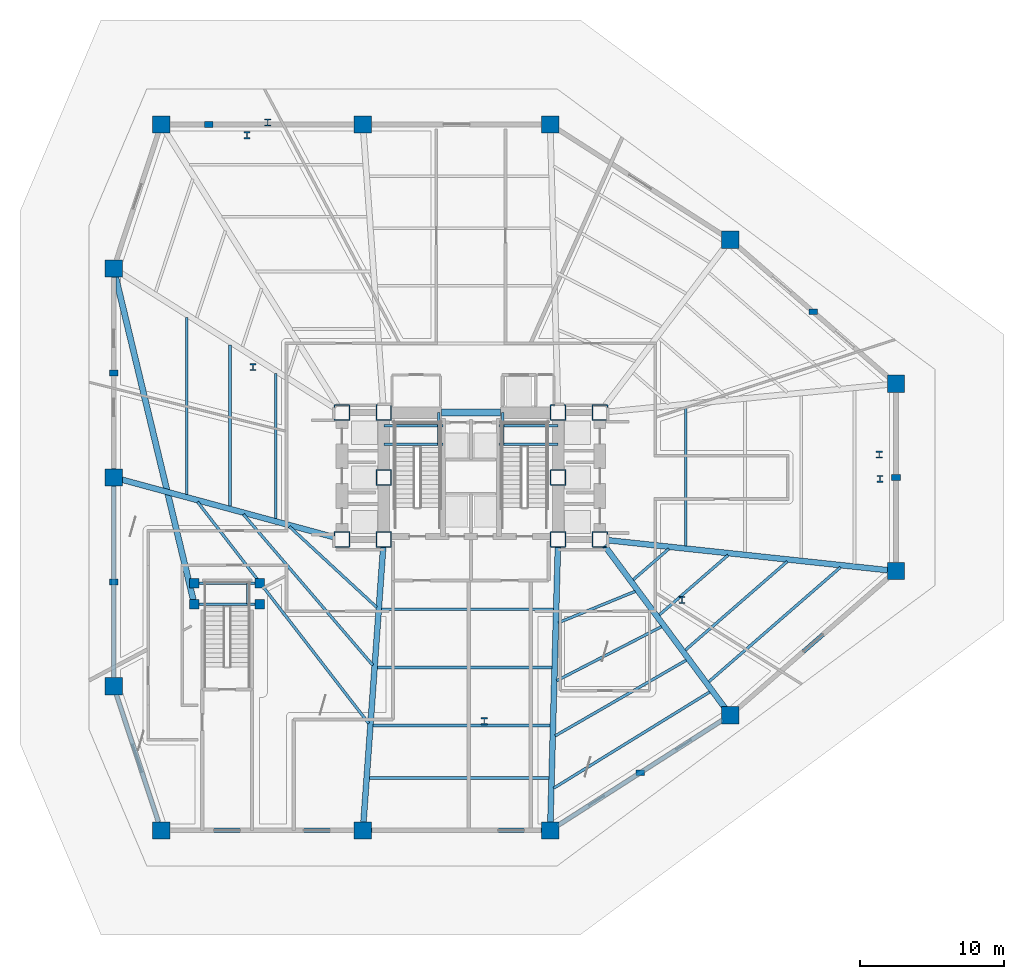
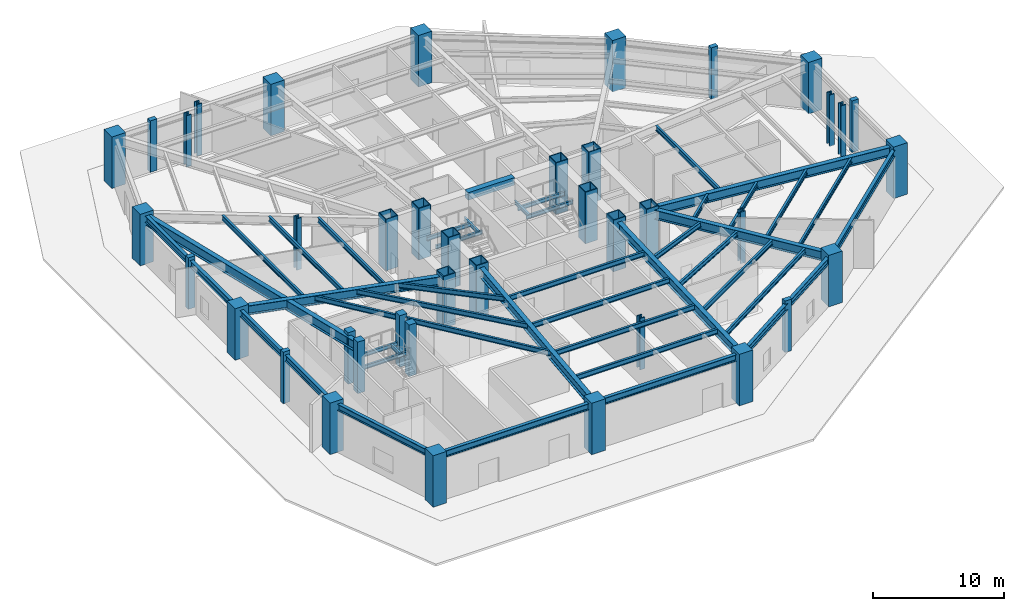
# One storey, part 1 of 10: 42 beams, 40 columns.
"""IFC4 building model written with IfcOpenShell, lengths in metres."""

from ifc_helpers import new_model, si_unit, direction, frame, origin, origin_2d, place, context, subcontext, project, spatial, rectangle, hollow_rectangle, i_section, extrude, material, material_profile, profile_set, type_object, element, save


model = new_model("IFC4")

# Units and contexts
model_context = context("Model", 3, precision=1e-05, world=origin(), true_north=direction((0.0, 1.0)))
body_context = subcontext(model_context, "Body", "Model", "MODEL_VIEW")
ifc_project = project(units=[si_unit("LENGTHUNIT", "METRE"), si_unit("AREAUNIT", "SQUARE_METRE"), si_unit("VOLUMEUNIT", "CUBIC_METRE"), si_unit("PLANEANGLEUNIT", "RADIAN"), si_unit("MASSUNIT", "GRAM", prefix="KILO")], contexts=[model_context])

# Site, building, storey
site_placement = place(None, origin())
site = spatial("IfcSite", under=ifc_project, at=site_placement, CompositionType="ELEMENT")
building_placement = place(site_placement, origin())
building = spatial("IfcBuilding", under=site, at=building_placement, Name="Rocaltana Carrier Exchange", CompositionType="ELEMENT")
storey_placement = place(building_placement, origin())
storey = spatial("IfcBuildingStorey", under=building, at=storey_placement, Name="L01", CompositionType="ELEMENT", Elevation=0.0)

# Columns
ifc_material_1 = material(Name="Concrete C60/75", Category="concrete")
ifc_material_profile_1 = material_profile(ifc_material_1, rectangle(XDim=0.60009765625, YDim=0.39990234375, at=origin_2d()), Name="RC-PIL-600X400")
ifc_profile_set_1 = profile_set([ifc_material_profile_1], Name="Concrete C60/75")
column_type_1 = type_object("IfcColumnType", Name="Concourse Boundary Pilaster 600x400", PredefinedType="PILASTER", material=ifc_profile_set_1)
for number, where, z_axis, x_axis, name in (
    (1, (11.75, -20.5, 0.0), (0.0, 0.0, 1.0), (1.0, 0.0, 0.0), "L01 Concourse Pilaster PL01"),
    (2, (29.5, 0.0, 0.0), (0.0, 0.0, 1.0), (1.0, 0.0, 0.0), "L01 Concourse Pilaster PL02"),
    (3, (-18.199951171875, 24.5, 0.0), (0.0, 0.0, 1.0), (1.0, 0.0, 0.0), "L01 Concourse Pilaster PL03"),
    (4, (23.75, 11.5, 0.0), (0.0, 0.0, 1.0), (1.0, 0.0, 0.0), "L01 Concourse Pilaster PL04"),
    (5, (-24.800048828125, 7.25, 0.0), (0.0, 0.0, 1.0), (1.0, 0.0, 0.0), "L01 Concourse Pilaster PL05"),
    (6, (-24.800048828125, -7.25, 0.0), (0.0, 0.0, 1.0), (1.0, 0.0, 0.0), "L01 Concourse Pilaster PL06"),
):
    element("IfcColumn", number, at=place(storey_placement, frame(where, z_axis=z_axis, x_axis=x_axis)), inside=storey, type_object=column_type_1, Name=name, PredefinedType="PILASTER", context=body_context, shape_type="SweptSolid", body=[
        extrude(rectangle(XDim=0.60009765625, YDim=0.39990234375, at=origin_2d()), origin(), (0.0, 0.0, 1.0), 4.800048828125),
    ])
ifc_material_2 = material(Name="Steel S460", Category="steel")
ifc_material_profile_2 = material_profile(ifc_material_2, hollow_rectangle(XDim=1.10009765625, YDim=1.10009765625, WallThickness=0.070068359375, InnerFilletRadius=0.02001953125, OuterFilletRadius=0.0400390625, at=origin_2d()), Name="BOX1100X1100X70")
ifc_profile_set_2 = profile_set([ifc_material_profile_2], Name="Steel S460")
column_type_2 = type_object("IfcColumnType", Name="Core Mega-Column BOX1100", PredefinedType="COLUMN", material=ifc_profile_set_2)
for number, where, z_axis, x_axis, name in (
    (7, (-6.050048828125, 4.5, 0.0), (0.0, 0.0, 1.0), (1.0, 0.0, 0.0), "L01 Core Mega-Column MC1"),
    (8, (6.050048828125, 4.5, 0.0), (0.0, 0.0, 1.0), (1.0, 0.0, 0.0), "L01 Core Mega-Column MC2"),
    (9, (-6.050048828125, 0.0, 0.0), (0.0, 0.0, 1.0), (1.0, 0.0, 0.0), "L01 Core Mega-Column MC3"),
    (10, (6.050048828125, 0.0, 0.0), (0.0, 0.0, 1.0), (1.0, 0.0, 0.0), "L01 Core Mega-Column MC4"),
    (11, (-6.050048828125, -4.300048828125, 0.0), (0.0, 0.0, 1.0), (1.0, 0.0, 0.0), "L01 Core Mega-Column MC5"),
    (12, (6.050048828125, -4.300048828125, 0.0), (0.0, 0.0, 1.0), (1.0, 0.0, 0.0), "L01 Core Mega-Column MC6"),
    (13, (-8.949951171875, 4.5, 0.0), (0.0, 0.0, 1.0), (1.0, 0.0, 0.0), "L01 West Core Column WC1"),
    (14, (-8.949951171875, -4.300048828125, 0.0), (0.0, 0.0, 1.0), (1.0, 0.0, 0.0), "L01 West Core Column WC2"),
    (15, (8.949951171875, 4.5, 0.0), (0.0, 0.0, 1.0), (1.0, 0.0, 0.0), "L01 East Core Column EC1"),
    (16, (8.949951171875, -4.300048828125, 0.0), (0.0, 0.0, 1.0), (1.0, 0.0, 0.0), "L01 East Core Column EC2"),
):
    element("IfcColumn", number, at=place(storey_placement, frame(where, z_axis=z_axis, x_axis=x_axis)), inside=storey, type_object=column_type_2, Name=name, PredefinedType="COLUMN", context=body_context, shape_type="SweptSolid", body=[
        extrude(hollow_rectangle(XDim=1.10009765625, YDim=1.10009765625, WallThickness=0.070068359375, InnerFilletRadius=0.02001953125, OuterFilletRadius=0.0400390625, at=origin_2d()), origin(), (0.0, 0.0, 1.0), 4.800048828125),
    ])
ifc_material_3 = material(Name="Steel S460", Category="steel")
ifc_material_profile_3 = material_profile(ifc_material_3, i_section(OverallWidth=0.431884765625, OverallDepth=0.498046875, WebThickness=0.0556640625, FlangeThickness=0.0888671875, FilletRadius=0.02490234375, at=origin_2d()), Name="W14X500")
ifc_profile_set_3 = profile_set([ifc_material_profile_3], Name="Steel S460")
column_type_3 = type_object("IfcColumnType", Name="Perimeter Column W14X500", PredefinedType="COLUMN", material=ifc_profile_set_3)
for number, where, z_axis, x_axis, name in (
    (17, (28.340576171875, 1.5849609375, 0.0), (0.0, 0.0, 1.0), (1.0, 0.0, 0.0), "L01 Podium Tower Mega-Column PT01"),
    (18, (-14.106201171875, 24.631591796875, 0.0), (0.0, 0.0, 1.0), (1.0, 0.0, 0.0), "L01 Podium Tower Mega-Column PT04"),
    (19, (-15.54296875, 23.751220703125, 0.0), (0.0, 0.0, 1.0), (1.0, 0.0, 0.0), "L01 Podium Tower Mega-Column PT05"),
    (20, (-15.121337890625, 7.65673828125, 0.0), (0.0, 0.0, 1.0), (1.0, 0.0, 0.0), "L01 Podium Tower Mega-Column PT06"),
    (21, (0.9296875, -16.923828125, 0.0), (0.0, 0.0, 1.0), (1.0, 0.0, 0.0), "L01 Podium Tower Mega-Column PT10"),
    (22, (14.6572265625, -8.51171875, 0.0), (0.0, 0.0, 1.0), (1.0, 0.0, 0.0), "L01 Podium Tower Mega-Column PT11"),
    (23, (28.384765625, -0.099609375, 0.0), (0.0, 0.0, 1.0), (1.0, 0.0, 0.0), "L01 Podium Tower Mega-Column PT12"),
):
    element("IfcColumn", number, at=place(storey_placement, frame(where, z_axis=z_axis, x_axis=x_axis)), inside=storey, type_object=column_type_3, Name=name, PredefinedType="COLUMN", context=body_context, shape_type="SweptSolid", body=[
        extrude(i_section(OverallWidth=0.431884765625, OverallDepth=0.498046875, WebThickness=0.0556640625, FlangeThickness=0.0888671875, FilletRadius=0.02490234375, at=origin_2d()), origin(), (0.0, 0.0, 1.0), 4.800048828125),
    ])
ifc_material_4 = material(Name="Concrete C60/75", Category="concrete")
ifc_material_profile_4 = material_profile(ifc_material_4, rectangle(XDim=1.199951171875, YDim=1.199951171875, at=origin_2d()), Name="RC-COL-1200X1200")
ifc_profile_set_4 = profile_set([ifc_material_profile_4], Name="Concrete C60/75")
column_type_4 = type_object("IfcColumnType", Name="Podium RC Column 1200", PredefinedType="COLUMN", material=ifc_profile_set_4)
for number, where, z_axis, x_axis, name in (
    (24, (-21.5, -24.5, 0.0), (0.0, 0.0, 1.0), (1.0, 0.0, 0.0), "L01 Podium Mega-Column PC01"),
    (25, (-7.5, -24.5, 0.0), (0.0, 0.0, 1.0), (1.0, 0.0, 0.0), "L01 Podium Mega-Column PC02"),
    (26, (5.5, -24.5, 0.0), (0.0, 0.0, 1.0), (1.0, 0.0, 0.0), "L01 Podium Mega-Column PC03"),
    (27, (18.0, -16.5, 0.0), (0.0, 0.0, 1.0), (1.0, 0.0, 0.0), "L01 Podium Mega-Column PC04"),
    (28, (29.5, -6.5, 0.0), (0.0, 0.0, 1.0), (1.0, 0.0, 0.0), "L01 Podium Mega-Column PC05"),
    (29, (29.5, 6.5, 0.0), (0.0, 0.0, 1.0), (1.0, 0.0, 0.0), "L01 Podium Mega-Column PC06"),
    (30, (18.0, 16.5, 0.0), (0.0, 0.0, 1.0), (1.0, 0.0, 0.0), "L01 Podium Mega-Column PC07"),
    (31, (5.5, 24.5, 0.0), (0.0, 0.0, 1.0), (1.0, 0.0, 0.0), "L01 Podium Mega-Column PC08"),
    (32, (-7.5, 24.5, 0.0), (0.0, 0.0, 1.0), (1.0, 0.0, 0.0), "L01 Podium Mega-Column PC09"),
    (33, (-21.5, 24.5, 0.0), (0.0, 0.0, 1.0), (1.0, 0.0, 0.0), "L01 Podium Mega-Column PC10"),
    (34, (-24.800048828125, 14.5, 0.0), (0.0, 0.0, 1.0), (1.0, 0.0, 0.0), "L01 Podium Mega-Column PC11"),
    (35, (-24.800048828125, 0.0, 0.0), (0.0, 0.0, 1.0), (1.0, 0.0, 0.0), "L01 Podium Mega-Column PC13"),
    (36, (-24.800048828125, -14.5, 0.0), (0.0, 0.0, 1.0), (1.0, 0.0, 0.0), "L01 Podium Mega-Column PC12"),
):
    element("IfcColumn", number, at=place(storey_placement, frame(where, z_axis=z_axis, x_axis=x_axis)), inside=storey, type_object=column_type_4, Name=name, PredefinedType="COLUMN", context=body_context, shape_type="SweptSolid", body=[
        extrude(rectangle(XDim=1.199951171875, YDim=1.199951171875, at=origin_2d()), origin(), (0.0, 0.0, 1.0), 4.800048828125),
    ])
ifc_material_5 = material(Name="Concrete C50/60", Category="concrete")
ifc_material_profile_5 = material_profile(ifc_material_5, rectangle(XDim=0.64990234375, YDim=0.64990234375, at=origin_2d()), Name="RC-COL-650X650")
ifc_profile_set_5 = profile_set([ifc_material_profile_5], Name="Concrete C50/60")
column_type_5 = type_object("IfcColumnType", Name="Stair Shaft RC Column 650", PredefinedType="COLUMN", material=ifc_profile_set_5)
for number, where, z_axis, x_axis, name in (
    (37, (-19.199951171875, -8.800048828125, 0.0), (0.0, 0.0, 1.0), (1.0, 0.0, 0.0), "L01 Stair Shaft Column SC3A"),
    (38, (-14.64990234375, -8.800048828125, 0.0), (0.0, 0.0, 1.0), (1.0, 0.0, 0.0), "L01 Stair Shaft Column SC3B"),
    (39, (-19.199951171875, -7.35009765625, 0.0), (0.0, 0.0, 1.0), (1.0, 0.0, 0.0), "L01 Stair Shaft Column SC3C"),
    (40, (-14.64990234375, -7.35009765625, 0.0), (0.0, 0.0, 1.0), (1.0, 0.0, 0.0), "L01 Stair Shaft Column SC3D"),
):
    element("IfcColumn", number, at=place(storey_placement, frame(where, z_axis=z_axis, x_axis=x_axis)), inside=storey, type_object=column_type_5, Name=name, PredefinedType="COLUMN", context=body_context, shape_type="SweptSolid", body=[
        extrude(rectangle(XDim=0.64990234375, YDim=0.64990234375, at=origin_2d()), origin(), (0.0, 0.0, 1.0), 4.800048828125),
    ])

# Beams
ifc_material_6 = material(Name="Concrete C60/75", Category="concrete")
ifc_material_profile_6 = material_profile(ifc_material_6, rectangle(XDim=0.5, YDim=0.699951171875, at=origin_2d()), Name="RC-BM-500X700")
ifc_profile_set_6 = profile_set([ifc_material_profile_6], Name="Concrete C60/75")
beam_type_1 = type_object("IfcBeamType", Name="Core Coupling Lintel 500x700", PredefinedType="LINTEL", material=ifc_profile_set_6)
beam_1_placement = place(storey_placement, frame((-2.050048828125, 4.5, 4.14794921875), z_axis=(1.0, 0.0, 0.0), x_axis=(0.0, 1.0, 0.0)))
element("IfcBeam", 41, at=beam_1_placement, inside=storey, type_object=beam_type_1, Name="L01 Core Coupling Lintel CL-N", PredefinedType="LINTEL", context=body_context, shape_type="SweptSolid", body=[
    extrude(rectangle(XDim=0.5, YDim=0.699951171875, at=origin_2d()), origin(), (0.0, 0.0, 1.0), 4.10009765625),
])
ifc_material_7 = material(Name="Steel S355", Category="steel")
ifc_material_profile_7 = material_profile(ifc_material_7, i_section(OverallWidth=0.172119140625, OverallDepth=0.35791015625, WebThickness=0.0078125, FlangeThickness=0.01318359375, FilletRadius=0.011962890625, at=origin_2d()), Name="W14X38")
ifc_profile_set_7 = profile_set([ifc_material_profile_7], Name="Steel S355")
beam_type_2 = type_object("IfcBeamType", Name="Floor Joist W14X38", PredefinedType="JOIST", material=ifc_profile_set_7)
for number, where, z_axis, x_axis, name in (
    (42, (-6.050048828125, 2.300048828125, 2.02099609375), (1.0, 0.0, 0.0), (0.0, 1.0, 0.0), "L01 ST-1 Landing Carrier 1"),
    (43, (1.93994140625, 2.300048828125, 2.02099609375), (1.0, 0.0, 0.0), (0.0, 1.0, 0.0), "L01 ST-2 Landing Carrier 1"),
    (44, (-6.050048828125, 3.60009765625, 2.02099609375), (1.0, 0.0, 0.0), (0.0, 1.0, 0.0), "L01 ST-1 Landing Carrier 2"),
    (45, (1.93994140625, 3.60009765625, 2.02099609375), (1.0, 0.0, 0.0), (0.0, 1.0, 0.0), "L01 ST-2 Landing Carrier 2"),
):
    element("IfcBeam", number, at=place(storey_placement, frame(where, z_axis=z_axis, x_axis=x_axis)), inside=storey, type_object=beam_type_2, Name=name, PredefinedType="JOIST", context=body_context, shape_type="SweptSolid", body=[
        extrude(i_section(OverallWidth=0.172119140625, OverallDepth=0.35791015625, WebThickness=0.0078125, FlangeThickness=0.01318359375, FilletRadius=0.011962890625, at=origin_2d()), origin(), (0.0, 0.0, 1.0), 4.110107421875),
    ])
for number, where, z_axis, x_axis, name in (
    (46, (-2.219970703125, 2.300048828125, 2.02099609375), (0.0, 1.0, 0.0), (-1.0, 0.0, 0.0), "L01 ST-1 Landing Cross Trimmer"),
    (47, (2.219970703125, 2.300048828125, 2.02099609375), (0.0, 1.0, 0.0), (-1.0, 0.0, 0.0), "L01 ST-2 Landing Cross Trimmer"),
):
    element("IfcBeam", number, at=place(storey_placement, frame(where, z_axis=z_axis, x_axis=x_axis)), inside=storey, type_object=beam_type_2, Name=name, PredefinedType="JOIST", context=body_context, shape_type="SweptSolid", body=[
        extrude(i_section(OverallWidth=0.172119140625, OverallDepth=0.35791015625, WebThickness=0.0078125, FlangeThickness=0.01318359375, FilletRadius=0.011962890625, at=origin_2d()), origin(), (0.0, 0.0, 1.0), 2.199951171875),
    ])
for number, where, z_axis, x_axis, name in (
    (48, (-19.199951171875, -8.800048828125, 2.02099609375), (1.0, 0.0, 0.0), (0.0, 1.0, 0.0), "L01 ST-3 South Landing Carrier"),
    (49, (-19.199951171875, -7.35009765625, 2.02099609375), (1.0, 0.0, 0.0), (0.0, 1.0, 0.0), "L01 ST-3 North Landing Carrier"),
):
    element("IfcBeam", number, at=place(storey_placement, frame(where, z_axis=z_axis, x_axis=x_axis)), inside=storey, type_object=beam_type_2, Name=name, PredefinedType="JOIST", context=body_context, shape_type="SweptSolid", body=[
        extrude(i_section(OverallWidth=0.172119140625, OverallDepth=0.35791015625, WebThickness=0.0078125, FlangeThickness=0.01318359375, FilletRadius=0.011962890625, at=origin_2d()), origin(), (0.0, 0.0, 1.0), 4.550048828125),
    ])
beam_2_placement = place(storey_placement, frame((-15.5, -8.800048828125, 2.02099609375), z_axis=(0.0, 1.0, 0.0), x_axis=(-1.0, 0.0, 0.0)))
element("IfcBeam", 50, at=beam_2_placement, inside=storey, type_object=beam_type_2, Name="L01 ST-3 Landing Cross Trimmer", PredefinedType="JOIST", context=body_context, shape_type="SweptSolid", body=[
    extrude(i_section(OverallWidth=0.172119140625, OverallDepth=0.35791015625, WebThickness=0.0078125, FlangeThickness=0.01318359375, FilletRadius=0.011962890625, at=origin_2d()), origin(), (0.0, 0.0, 1.0), 1.449951171875),
])
ifc_material_8 = material(Name="Steel S355", Category="steel")
ifc_material_profile_8 = material_profile(ifc_material_8, i_section(OverallWidth=0.193115234375, OverallDepth=0.466064453125, WebThickness=0.011474609375, FlangeThickness=0.01904296875, FilletRadius=0.013916015625, at=origin_2d()), Name="W18X65")
ifc_profile_set_8 = profile_set([ifc_material_profile_8], Name="Steel S355")
beam_type_3 = type_object("IfcBeamType", Name="Floor Joist W18X65", PredefinedType="JOIST", material=ifc_profile_set_8)
beam_3_placement = place(storey_placement, frame((-6.2041015625, -9.14794921875, 4.264892578125), z_axis=(1.0, 0.0, 0.0), x_axis=(0.0, 1.0, 0.0)))
element("IfcBeam", 51, at=beam_3_placement, inside=storey, type_object=beam_type_3, Name="FJ-POD-01-1-L01", PredefinedType="JOIST", context=body_context, shape_type="SweptSolid", body=[
    extrude(i_section(OverallWidth=0.193115234375, OverallDepth=0.466064453125, WebThickness=0.011474609375, FlangeThickness=0.01904296875, FilletRadius=0.013916015625, at=origin_2d()), origin(), (0.0, 0.0, 1.0), 11.92822265625),
])
beam_4_placement = place(storey_placement, frame((-6.493896484375, -13.18798828125, 4.264892578125), z_axis=(1.0, 0.0, 0.0), x_axis=(0.0, 1.0, 0.0)))
element("IfcBeam", 52, at=beam_4_placement, inside=storey, type_object=beam_type_3, Name="FJ-POD-01-2-L01", PredefinedType="JOIST", context=body_context, shape_type="SweptSolid", body=[
    extrude(i_section(OverallWidth=0.193115234375, OverallDepth=0.466064453125, WebThickness=0.011474609375, FlangeThickness=0.01904296875, FilletRadius=0.013916015625, at=origin_2d()), origin(), (0.0, 0.0, 1.0), 12.10791015625),
])
beam_5_placement = place(storey_placement, frame((-6.783935546875, -17.22802734375, 4.264892578125), z_axis=(1.0, 0.0, 0.0), x_axis=(0.0, 1.0, 0.0)))
element("IfcBeam", 53, at=beam_5_placement, inside=storey, type_object=beam_type_3, Name="FJ-POD-01-3-L01", PredefinedType="JOIST", context=body_context, shape_type="SweptSolid", body=[
    extrude(i_section(OverallWidth=0.193115234375, OverallDepth=0.466064453125, WebThickness=0.011474609375, FlangeThickness=0.01904296875, FilletRadius=0.013916015625, at=origin_2d()), origin(), (0.0, 0.0, 1.0), 12.287841796875),
])
beam_6_placement = place(storey_placement, frame((-7.044921875, -20.864013671875, 4.264892578125), z_axis=(1.0, 0.0, 0.0), x_axis=(0.0, 1.0, 0.0)))
element("IfcBeam", 54, at=beam_6_placement, inside=storey, type_object=beam_type_3, Name="FJ-POD-01-4-L01", PredefinedType="JOIST", context=body_context, shape_type="SweptSolid", body=[
    extrude(i_section(OverallWidth=0.193115234375, OverallDepth=0.466064453125, WebThickness=0.011474609375, FlangeThickness=0.01904296875, FilletRadius=0.013916015625, at=origin_2d()), origin(), (0.0, 0.0, 1.0), 12.449951171875),
])
beam_7_placement = place(storey_placement, frame((6.070068359375, -10.084716796875, 4.264892578125), z_axis=(0.925854311721, 0.377880660352, 0.0), x_axis=(-0.377880660352, 0.925854311721, 0.0)))
element("IfcBeam", 55, at=beam_7_placement, inside=storey, type_object=beam_type_3, Name="FJ-POD-02-1-L01", PredefinedType="JOIST", context=body_context, shape_type="SweptSolid", body=[
    extrude(i_section(OverallWidth=0.193115234375, OverallDepth=0.466064453125, WebThickness=0.011474609375, FlangeThickness=0.01904296875, FilletRadius=0.013916015625, at=origin_2d()), origin(), (0.0, 0.0, 1.0), 5.75146484375),
])
beam_8_placement = place(storey_placement, frame((5.952880859375, -14.109130859375, 4.264892578125), z_axis=(0.888846922283, 0.458204265311, 0.0), x_axis=(-0.458204265311, 0.888846922283, 0.0)))
element("IfcBeam", 56, at=beam_8_placement, inside=storey, type_object=beam_type_3, Name="FJ-POD-02-2-L01", PredefinedType="JOIST", context=body_context, shape_type="SweptSolid", body=[
    extrude(i_section(OverallWidth=0.193115234375, OverallDepth=0.466064453125, WebThickness=0.011474609375, FlangeThickness=0.01904296875, FilletRadius=0.013916015625, at=origin_2d()), origin(), (0.0, 0.0, 1.0), 8.1669921875),
])
beam_9_placement = place(storey_placement, frame((5.843994140625, -17.93896484375, 4.264892578125), z_axis=(0.866167386588, 0.499753997895, 0.0), x_axis=(-0.499753997895, 0.866167386588, 0.0)))
element("IfcBeam", 57, at=beam_9_placement, inside=storey, type_object=beam_type_3, Name="FJ-POD-02-3-L01", PredefinedType="JOIST", context=body_context, shape_type="SweptSolid", body=[
    extrude(i_section(OverallWidth=0.193115234375, OverallDepth=0.466064453125, WebThickness=0.011474609375, FlangeThickness=0.01904296875, FilletRadius=0.013916015625, at=origin_2d()), origin(), (0.0, 0.0, 1.0), 10.496826171875),
])
beam_10_placement = place(storey_placement, frame((5.7421875, -21.5703125, 4.264892578125), z_axis=(0.851147142545, 0.524927177556, 0.0), x_axis=(-0.524927177556, 0.851147142545, 0.0)))
element("IfcBeam", 58, at=beam_10_placement, inside=storey, type_object=beam_type_3, Name="FJ-POD-02-4-L01", PredefinedType="JOIST", context=body_context, shape_type="SweptSolid", body=[
    extrude(i_section(OverallWidth=0.193115234375, OverallDepth=0.466064453125, WebThickness=0.011474609375, FlangeThickness=0.01904296875, FilletRadius=0.013916015625, at=origin_2d()), origin(), (0.0, 0.0, 1.0), 12.718994140625),
])
beam_11_placement = place(storey_placement, frame((11.268310546875, -7.1005859375, 4.264892578125), z_axis=(0.754636065362, 0.656143588595, 0.0), x_axis=(-0.656143588595, 0.754636065362, 0.0)))
element("IfcBeam", 59, at=beam_11_placement, inside=storey, type_object=beam_type_3, Name="FJ-POD-03-1-L01", PredefinedType="JOIST", context=body_context, shape_type="SweptSolid", body=[
    extrude(i_section(OverallWidth=0.193115234375, OverallDepth=0.466064453125, WebThickness=0.011474609375, FlangeThickness=0.01904296875, FilletRadius=0.013916015625, at=origin_2d()), origin(), (0.0, 0.0, 1.0), 3.26953125),
])
beam_12_placement = place(storey_placement, frame((13.078369140625, -9.540771484375, 4.264892578125), z_axis=(0.754605522164, 0.656178714925, 0.0), x_axis=(-0.656178714925, 0.754605522164, 0.0)))
element("IfcBeam", 60, at=beam_12_placement, inside=storey, type_object=beam_type_3, Name="FJ-POD-03-2-L01", PredefinedType="JOIST", context=body_context, shape_type="SweptSolid", body=[
    extrude(i_section(OverallWidth=0.193115234375, OverallDepth=0.466064453125, WebThickness=0.011474609375, FlangeThickness=0.01904296875, FilletRadius=0.013916015625, at=origin_2d()), origin(), (0.0, 0.0, 1.0), 6.317626953125),
])
beam_13_placement = place(storey_placement, frame((14.888427734375, -11.980712890625, 4.264892578125), z_axis=(0.75459654273, 0.65618904113, 0.0), x_axis=(-0.65618904113, 0.75459654273, 0.0)))
element("IfcBeam", 61, at=beam_13_placement, inside=storey, type_object=beam_type_3, Name="FJ-POD-03-3-L01", PredefinedType="JOIST", context=body_context, shape_type="SweptSolid", body=[
    extrude(i_section(OverallWidth=0.193115234375, OverallDepth=0.466064453125, WebThickness=0.011474609375, FlangeThickness=0.01904296875, FilletRadius=0.013916015625, at=origin_2d()), origin(), (0.0, 0.0, 1.0), 9.365478515625),
])
beam_14_placement = place(storey_placement, frame((16.517333984375, -14.1767578125, 4.264892578125), z_axis=(0.754599011116, 0.656186202554, 0.0), x_axis=(-0.656186202554, 0.754599011116, 0.0)))
element("IfcBeam", 62, at=beam_14_placement, inside=storey, type_object=beam_type_3, Name="FJ-POD-03-4-L01", PredefinedType="JOIST", context=body_context, shape_type="SweptSolid", body=[
    extrude(i_section(OverallWidth=0.193115234375, OverallDepth=0.466064453125, WebThickness=0.011474609375, FlangeThickness=0.01904296875, FilletRadius=0.013916015625, at=origin_2d()), origin(), (0.0, 0.0, 1.0), 12.108642578125),
])
beam_15_placement = place(storey_placement, frame((14.909423828125, -4.743896484375, 4.264892578125), z_axis=(0.0, 1.0, 0.0), x_axis=(-1.0, 0.0, 0.0)))
element("IfcBeam", 63, at=beam_15_placement, inside=storey, type_object=beam_type_3, Name="FJ-POD-04-1-L01", PredefinedType="JOIST", context=body_context, shape_type="SweptSolid", body=[
    extrude(i_section(OverallWidth=0.193115234375, OverallDepth=0.466064453125, WebThickness=0.011474609375, FlangeThickness=0.01904296875, FilletRadius=0.013916015625, at=origin_2d()), origin(), (0.0, 0.0, 1.0), 9.6298828125),
])
beam_16_placement = place(storey_placement, frame((-13.54638671875, 7.2060546875, 4.264892578125), z_axis=(0.0, -1.0, 0.0), x_axis=(1.0, 0.0, 0.0)))
element("IfcBeam", 64, at=beam_16_placement, inside=storey, type_object=beam_type_3, Name="FJ-POD-10-1-L01", PredefinedType="JOIST", context=body_context, shape_type="SweptSolid", body=[
    extrude(i_section(OverallWidth=0.193115234375, OverallDepth=0.466064453125, WebThickness=0.011474609375, FlangeThickness=0.01904296875, FilletRadius=0.013916015625, at=origin_2d()), origin(), (0.0, 0.0, 1.0), 10.06494140625),
])
beam_17_placement = place(storey_placement, frame((-16.716552734375, 9.2060546875, 4.264892578125), z_axis=(0.0, -1.0, 0.0), x_axis=(1.0, 0.0, 0.0)))
element("IfcBeam", 65, at=beam_17_placement, inside=storey, type_object=beam_type_3, Name="FJ-POD-10-2-L01", PredefinedType="JOIST", context=body_context, shape_type="SweptSolid", body=[
    extrude(i_section(OverallWidth=0.193115234375, OverallDepth=0.466064453125, WebThickness=0.011474609375, FlangeThickness=0.01904296875, FilletRadius=0.013916015625, at=origin_2d()), origin(), (0.0, 0.0, 1.0), 11.205078125),
])
beam_18_placement = place(storey_placement, frame((-19.72802734375, 11.10595703125, 4.264892578125), z_axis=(0.0, -1.0, 0.0), x_axis=(1.0, 0.0, 0.0)))
element("IfcBeam", 66, at=beam_18_placement, inside=storey, type_object=beam_type_3, Name="FJ-POD-10-3-L01", PredefinedType="JOIST", context=body_context, shape_type="SweptSolid", body=[
    extrude(i_section(OverallWidth=0.193115234375, OverallDepth=0.466064453125, WebThickness=0.011474609375, FlangeThickness=0.01904296875, FilletRadius=0.013916015625, at=origin_2d()), origin(), (0.0, 0.0, 1.0), 12.287841796875),
])
beam_19_placement = place(storey_placement, frame((-12.611572265625, -3.399658203125, 4.264892578125), z_axis=(0.73405382371, -0.679091292756, 0.0), x_axis=(0.679091292756, 0.73405382371, 0.0)))
element("IfcBeam", 67, at=beam_19_placement, inside=storey, type_object=beam_type_3, Name="FJ-POD-11-1-L01", PredefinedType="JOIST", context=body_context, shape_type="SweptSolid", body=[
    extrude(i_section(OverallWidth=0.193115234375, OverallDepth=0.466064453125, WebThickness=0.011474609375, FlangeThickness=0.01904296875, FilletRadius=0.013916015625, at=origin_2d()), origin(), (0.0, 0.0, 1.0), 8.27099609375),
])
beam_20_placement = place(storey_placement, frame((-15.7978515625, -2.555419921875, 4.264892578125), z_axis=(0.65063264019, -0.759392630673, 0.0), x_axis=(0.759392630673, 0.65063264019, 0.0)))
element("IfcBeam", 68, at=beam_20_placement, inside=storey, type_object=beam_type_3, Name="FJ-POD-11-2-L01", PredefinedType="JOIST", context=body_context, shape_type="SweptSolid", body=[
    extrude(i_section(OverallWidth=0.193115234375, OverallDepth=0.466064453125, WebThickness=0.011474609375, FlangeThickness=0.01904296875, FilletRadius=0.013916015625, at=origin_2d()), origin(), (0.0, 0.0, 1.0), 13.8076171875),
])
beam_21_placement = place(storey_placement, frame((-18.975341796875, -1.701416015625, 4.264892578125), z_axis=(0.611431048855, -0.791297714198, 0.0), x_axis=(0.791297714198, 0.611431048855, 0.0)))
element("IfcBeam", 69, at=beam_21_placement, inside=storey, type_object=beam_type_3, Name="FJ-POD-11-3-L01", PredefinedType="JOIST", context=body_context, shape_type="SweptSolid", body=[
    extrude(i_section(OverallWidth=0.193115234375, OverallDepth=0.466064453125, WebThickness=0.011474609375, FlangeThickness=0.01904296875, FilletRadius=0.013916015625, at=origin_2d()), origin(), (0.0, 0.0, 1.0), 19.427734375),
])
ifc_material_9 = material(Name="Steel S355", Category="steel")
ifc_material_profile_9 = material_profile(ifc_material_9, i_section(OverallWidth=0.41796875, OverallDepth=0.927001953125, WebThickness=0.019287109375, FlangeThickness=0.031982421875, FilletRadius=0.02197265625, at=origin_2d()), Name="W36X231")
ifc_profile_set_9 = profile_set([ifc_material_profile_9], Name="Steel S355")
beam_type_4 = type_object("IfcBeamType", Name="Heavy Floor Girder W36X231", PredefinedType="BEAM", material=ifc_profile_set_9)
beam_22_placement = place(storey_placement, frame((-24.800048828125, 14.5, 4.034423828125), z_axis=(0.233691988748, -0.972310677919, 0.0), x_axis=(0.972310677919, 0.233691988748, 0.0)))
element("IfcBeam", 70, at=beam_22_placement, inside=storey, type_object=beam_type_4, Name="BM-PODG-ST3TRIM-L01", PredefinedType="BEAM", context=body_context, shape_type="SweptSolid", body=[
    extrude(i_section(OverallWidth=0.41796875, OverallDepth=0.927001953125, WebThickness=0.019287109375, FlangeThickness=0.031982421875, FilletRadius=0.02197265625, at=origin_2d()), origin(), (0.0, 0.0, 1.0), 23.963623046875),
])
ifc_material_10 = material(Name="Steel S355", Category="steel")
ifc_material_profile_10 = material_profile(ifc_material_10, i_section(OverallWidth=0.39990234375, OverallDepth=0.85498046875, WebThickness=0.018310546875, FlangeThickness=0.029296875, FilletRadius=0.02001953125, at=origin_2d()), Name="W33X201")
ifc_profile_set_10 = profile_set([ifc_material_profile_10], Name="Steel S355")
beam_type_5 = type_object("IfcBeamType", Name="Podium Girder W33X201", PredefinedType="BEAM", material=ifc_profile_set_10)
beam_23_placement = place(storey_placement, frame((-6.0888671875, -4.840576171875, 4.070556640625), z_axis=(-0.071590092628, -0.997434137494, 0.0), x_axis=(0.997434137494, -0.071590092628, 0.0)))
element("IfcBeam", 71, at=beam_23_placement, inside=storey, type_object=beam_type_5, Name="BM-PODG-02-L01", PredefinedType="BEAM", context=body_context, shape_type="SweptSolid", body=[
    extrude(i_section(OverallWidth=0.39990234375, OverallDepth=0.85498046875, WebThickness=0.018310546875, FlangeThickness=0.029296875, FilletRadius=0.02001953125, at=origin_2d()), origin(), (0.0, 0.0, 1.0), 19.117919921875),
])
beam_24_placement = place(storey_placement, frame((6.03515625, -4.841796875, 4.070556640625), z_axis=(-0.027212823481, -0.999629662544, 0.0), x_axis=(0.999629662544, -0.027212823481, 0.0)))
element("IfcBeam", 72, at=beam_24_placement, inside=storey, type_object=beam_type_5, Name="BM-PODG-03-L01", PredefinedType="BEAM", context=body_context, shape_type="SweptSolid", body=[
    extrude(i_section(OverallWidth=0.39990234375, OverallDepth=0.85498046875, WebThickness=0.018310546875, FlangeThickness=0.029296875, FilletRadius=0.02001953125, at=origin_2d()), origin(), (0.0, 0.0, 1.0), 19.073486328125),
])
beam_25_placement = place(storey_placement, frame((9.27294921875, -4.7353515625, 4.070556640625), z_axis=(0.595778622858, -0.8031486989, 0.0), x_axis=(0.8031486989, 0.595778622858, 0.0)))
element("IfcBeam", 73, at=beam_25_placement, inside=storey, type_object=beam_type_5, Name="BM-PODG-04-L01", PredefinedType="BEAM", context=body_context, shape_type="SweptSolid", body=[
    extrude(i_section(OverallWidth=0.39990234375, OverallDepth=0.85498046875, WebThickness=0.018310546875, FlangeThickness=0.029296875, FilletRadius=0.02001953125, at=origin_2d()), origin(), (0.0, 0.0, 1.0), 14.055908203125),
])
beam_26_placement = place(storey_placement, frame((9.489013671875, -4.357666015625, 4.070556640625), z_axis=(0.994317945297, -0.106451038792, 0.0), x_axis=(0.106451038792, 0.994317945297, 0.0)))
element("IfcBeam", 74, at=beam_26_placement, inside=storey, type_object=beam_type_5, Name="BM-PODG-05-L01", PredefinedType="BEAM", context=body_context, shape_type="SweptSolid", body=[
    extrude(i_section(OverallWidth=0.39990234375, OverallDepth=0.85498046875, WebThickness=0.018310546875, FlangeThickness=0.029296875, FilletRadius=0.02001953125, at=origin_2d()), origin(), (0.0, 0.0, 1.0), 19.533447265625),
])
beam_27_placement = place(storey_placement, frame((-9.47314453125, -4.158203125, 4.070556640625), z_axis=(-0.965113043387, 0.261833560655, 0.0), x_axis=(-0.261833560655, -0.965113043387, 0.0)))
element("IfcBeam", 75, at=beam_27_placement, inside=storey, type_object=beam_type_5, Name="BM-PODG-12-L01", PredefinedType="BEAM", context=body_context, shape_type="SweptSolid", body=[
    extrude(i_section(OverallWidth=0.39990234375, OverallDepth=0.85498046875, WebThickness=0.018310546875, FlangeThickness=0.029296875, FilletRadius=0.02001953125, at=origin_2d()), origin(), (0.0, 0.0, 1.0), 15.2890625),
])
ifc_material_11 = material(Name="Steel S355", Category="steel")
ifc_material_profile_11 = material_profile(ifc_material_11, i_section(OverallWidth=0.300048828125, OverallDepth=0.60009765625, WebThickness=0.015380859375, FlangeThickness=0.030029296875, FilletRadius=0.027099609375, at=origin_2d()), Name="HEB600")
ifc_profile_set_11 = profile_set([ifc_material_profile_11], Name="Steel S355")
beam_type_6 = type_object("IfcBeamType", Name="Spandrel Edge Beam HEB600", PredefinedType="SPANDREL", material=ifc_profile_set_11)
beam_28_placement = place(storey_placement, frame((-20.907958984375, -24.5, 4.197998046875), z_axis=(1.0, 0.0, 0.0), x_axis=(0.0, 1.0, 0.0)))
element("IfcBeam", 76, at=beam_28_placement, inside=storey, type_object=beam_type_6, Name="BM-PODR-01-L01", PredefinedType="SPANDREL", context=body_context, shape_type="SweptSolid", body=[
    extrude(i_section(OverallWidth=0.300048828125, OverallDepth=0.60009765625, WebThickness=0.015380859375, FlangeThickness=0.030029296875, FilletRadius=0.027099609375, at=origin_2d()), origin(), (0.0, 0.0, 1.0), 12.81591796875),
])
beam_29_placement = place(storey_placement, frame((-6.907958984375, -24.5, 4.197998046875), z_axis=(1.0, 0.0, 0.0), x_axis=(0.0, 1.0, 0.0)))
element("IfcBeam", 77, at=beam_29_placement, inside=storey, type_object=beam_type_6, Name="BM-PODR-02-L01", PredefinedType="SPANDREL", context=body_context, shape_type="SweptSolid", body=[
    extrude(i_section(OverallWidth=0.300048828125, OverallDepth=0.60009765625, WebThickness=0.015380859375, FlangeThickness=0.030029296875, FilletRadius=0.027099609375, at=origin_2d()), origin(), (0.0, 0.0, 1.0), 11.81591796875),
])
beam_30_placement = place(storey_placement, frame((5.99853515625, -24.180908203125, 4.197998046875), z_axis=(0.842273348616, 0.539050652733, 0.0), x_axis=(-0.539050652733, 0.842273348616, 0.0)))
element("IfcBeam", 78, at=beam_30_placement, inside=storey, type_object=beam_type_6, Name="BM-PODR-03-L01", PredefinedType="SPANDREL", context=body_context, shape_type="SweptSolid", body=[
    extrude(i_section(OverallWidth=0.300048828125, OverallDepth=0.60009765625, WebThickness=0.015380859375, FlangeThickness=0.030029296875, FilletRadius=0.027099609375, at=origin_2d()), origin(), (0.0, 0.0, 1.0), 13.656982421875),
])
beam_31_placement = place(storey_placement, frame((18.44677734375, -16.111572265625, 4.197998046875), z_axis=(0.754600286985, 0.656184735331, 0.0), x_axis=(-0.656184735331, 0.754600286985, 0.0)))
element("IfcBeam", 79, at=beam_31_placement, inside=storey, type_object=beam_type_6, Name="BM-PODR-04-L01", PredefinedType="SPANDREL", context=body_context, shape_type="SweptSolid", body=[
    extrude(i_section(OverallWidth=0.300048828125, OverallDepth=0.60009765625, WebThickness=0.015380859375, FlangeThickness=0.030029296875, FilletRadius=0.027099609375, at=origin_2d()), origin(), (0.0, 0.0, 1.0), 14.0556640625),
])
for number, where, z_axis, x_axis, name in (
    (80, (-24.800048828125, 13.907958984375, 4.197998046875), (0.0, -1.0, 0.0), (1.0, 0.0, 0.0), "BM-PODR-11-L01"),
    (81, (-24.800048828125, -0.592041015625, 4.197998046875), (0.0, -1.0, 0.0), (1.0, 0.0, 0.0), "BM-PODR-12-L01"),
):
    element("IfcBeam", number, at=place(storey_placement, frame(where, z_axis=z_axis, x_axis=x_axis)), inside=storey, type_object=beam_type_6, Name=name, PredefinedType="SPANDREL", context=body_context, shape_type="SweptSolid", body=[
        extrude(i_section(OverallWidth=0.300048828125, OverallDepth=0.60009765625, WebThickness=0.015380859375, FlangeThickness=0.030029296875, FilletRadius=0.027099609375, at=origin_2d()), origin(), (0.0, 0.0, 1.0), 13.31591796875),
    ])
beam_32_placement = place(storey_placement, frame((-24.614501953125, -15.062255859375, 4.197998046875), z_axis=(0.313381694349, -0.949627249844, 0.0), x_axis=(0.949627249844, 0.313381694349, 0.0)))
element("IfcBeam", 82, at=beam_32_placement, inside=storey, type_object=beam_type_6, Name="BM-PODR-13-L01", PredefinedType="SPANDREL", context=body_context, shape_type="SweptSolid", body=[
    extrude(i_section(OverallWidth=0.300048828125, OverallDepth=0.60009765625, WebThickness=0.015380859375, FlangeThickness=0.030029296875, FilletRadius=0.027099609375, at=origin_2d()), origin(), (0.0, 0.0, 1.0), 9.34619140625),
])

save(model, "model.ifc")
